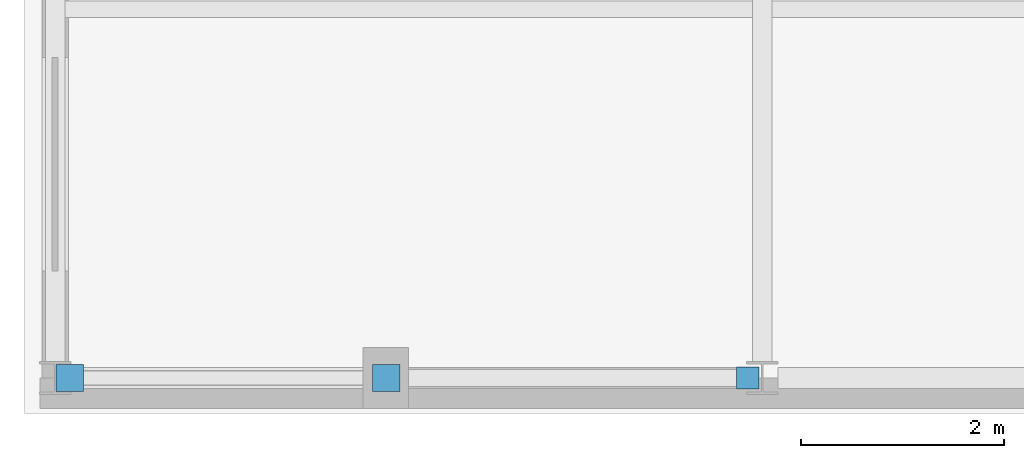
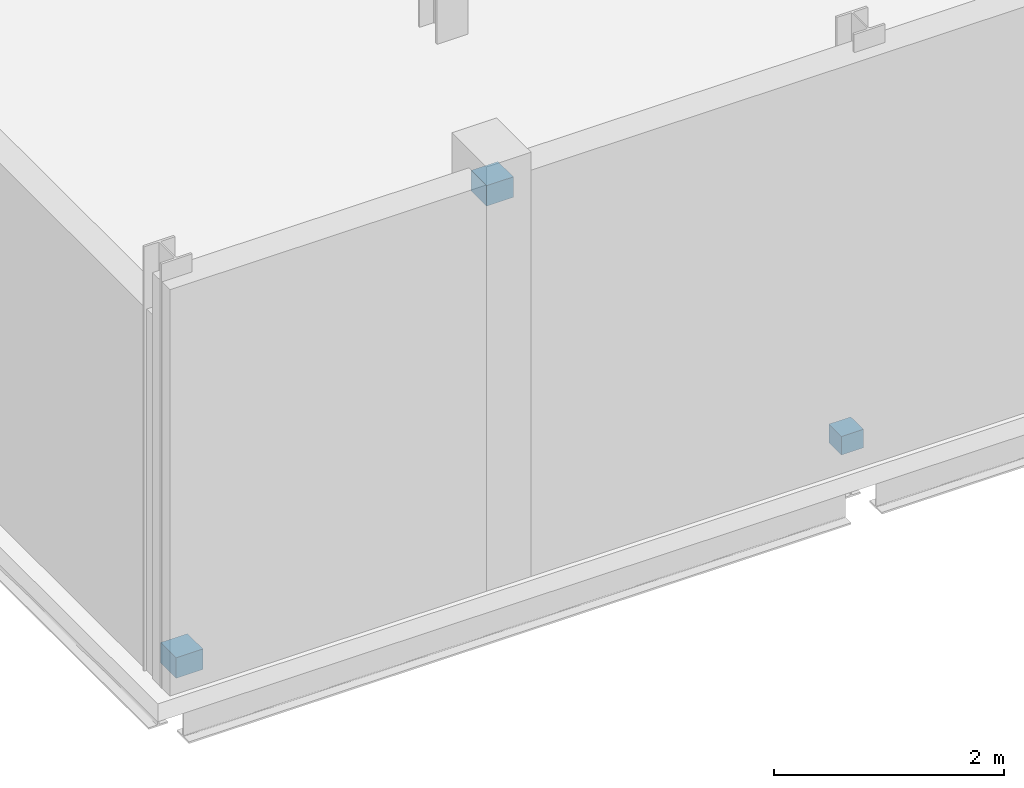
# One storey, part 59 of 77: 3 plates.
"""IFC4 building model written with IfcOpenShell, lengths in metres."""

from ifc_helpers import new_model, si_unit, direction, frame, origin, origin_2d, place, context, subcontext, project, spatial, rectangle, extrude, material, layer, layer_set, type_object, element, save


model = new_model("IFC4")

# Units and contexts
model_context = context("Model", 3, precision=1e-05, world=origin(), true_north=direction((0.0, 1.0)))
body_context = subcontext(model_context, "Body", "Model", "MODEL_VIEW")
ifc_project = project(units=[si_unit("LENGTHUNIT", "METRE"), si_unit("AREAUNIT", "SQUARE_METRE"), si_unit("VOLUMEUNIT", "CUBIC_METRE"), si_unit("PLANEANGLEUNIT", "RADIAN"), si_unit("MASSUNIT", "GRAM", prefix="KILO")], contexts=[model_context])

# Site, building, storey
site_placement = place(None, origin())
site = spatial("IfcSite", under=ifc_project, at=site_placement, CompositionType="ELEMENT")
building_placement = place(site_placement, origin())
building = spatial("IfcBuilding", under=site, at=building_placement, Name="Quillay Park Conservatory", CompositionType="ELEMENT")
storey_placement = place(building_placement, frame((0.0, 0.0, 5.39990234375)))
storey = spatial("IfcBuildingStorey", under=building, at=storey_placement, Name="L01", CompositionType="ELEMENT", Elevation=5.39990234375)

# Plates
ifc_material_1 = material(Name="Steel S355J2H", Category="steel")
ifc_layer_1 = layer(ifc_material_1, 0.02001953125)
ifc_layer_set_1 = layer_set([ifc_layer_1], Name="HOLLOW END CAP PLATE 220 X140 (Steel S355J2H)")
plate_type_1 = type_object("IfcPlateType", Name="HOLLOW END CAP PLATE 220 X140", PredefinedType="USERDEFINED", material=ifc_layer_set_1)
plate_placement = place(storey_placement, frame((7.357421875, 0.550048828125, 0.044189453125), z_axis=(0.0, 0.0, 1.0), x_axis=(1.0, 0.0, 0.0)))
element("IfcPlate", 1, at=plate_placement, inside=storey, type_object=plate_type_1, Name="Hollow steel end cap ECP-0249", ObjectType="FLANGE PLATE", PredefinedType="USERDEFINED", context=body_context, shape_type="SweptSolid", body=[
    extrude(rectangle(XDim=0.219970703125, YDim=0.219970703125, at=origin_2d()), origin(), (0.0, 0.0, 1.0), 0.19580078125),
])
ifc_material_2 = material(Name="Steel S355J2H", Category="steel")
ifc_layer_2 = layer(ifc_material_2, 0.02197265625)
ifc_layer_set_2 = layer_set([ifc_layer_2], Name="HOLLOW END CAP PLATE 270 X170 (Steel S355J2H)")
plate_type_2 = type_object("IfcPlateType", Name="HOLLOW END CAP PLATE 270 X170", PredefinedType="USERDEFINED", material=ifc_layer_set_2)
for number, where, z_axis, x_axis, name in (
    (2, (0.693115234375, 0.550048828125, 0.033203125), (0.0, 0.0, 1.0), (1.0, 0.0, 0.0), "Hollow steel end cap ECP-0247"),
    (3, (3.806884765625, 0.550048828125, 3.9501953125), (0.0, 0.0, 1.0), (1.0, 0.0, 0.0), "Hollow steel end cap ECP-0248"),
):
    element("IfcPlate", number, at=place(storey_placement, frame(where, z_axis=z_axis, x_axis=x_axis)), inside=storey, type_object=plate_type_2, Name=name, ObjectType="FLANGE PLATE", PredefinedType="USERDEFINED", context=body_context, shape_type="SweptSolid", body=[
        extrude(rectangle(XDim=0.27001953125, YDim=0.27001953125, at=origin_2d()), origin(), (0.0, 0.0, 1.0), 0.217041015625),
    ])

save(model, "model.ifc")
